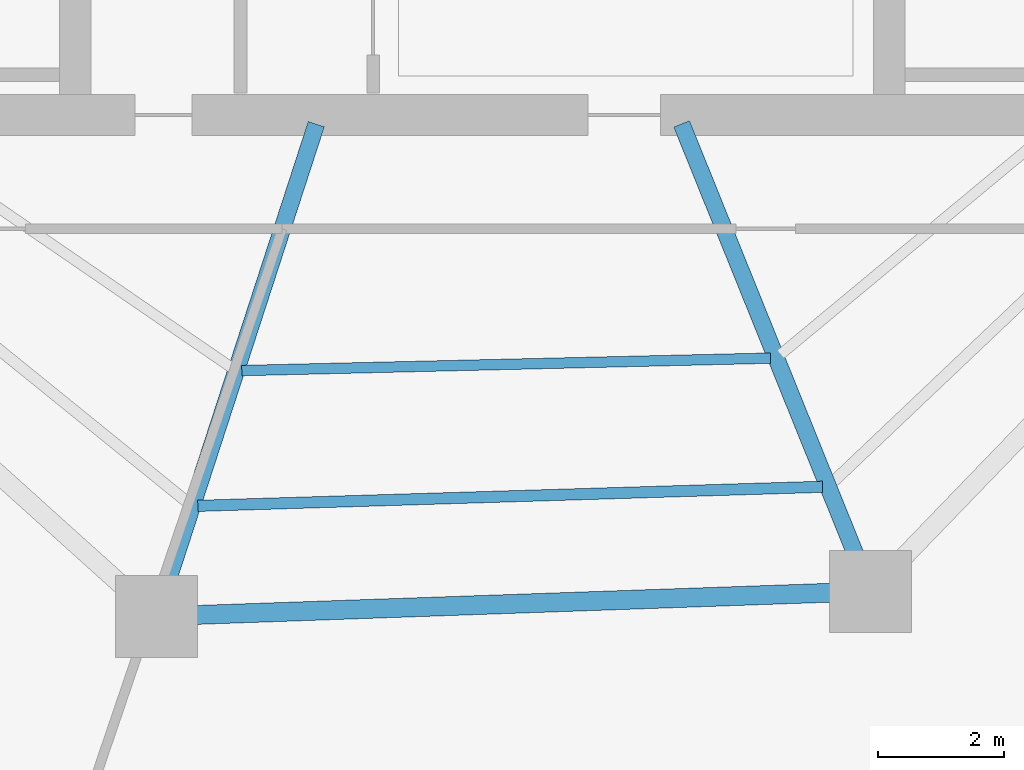
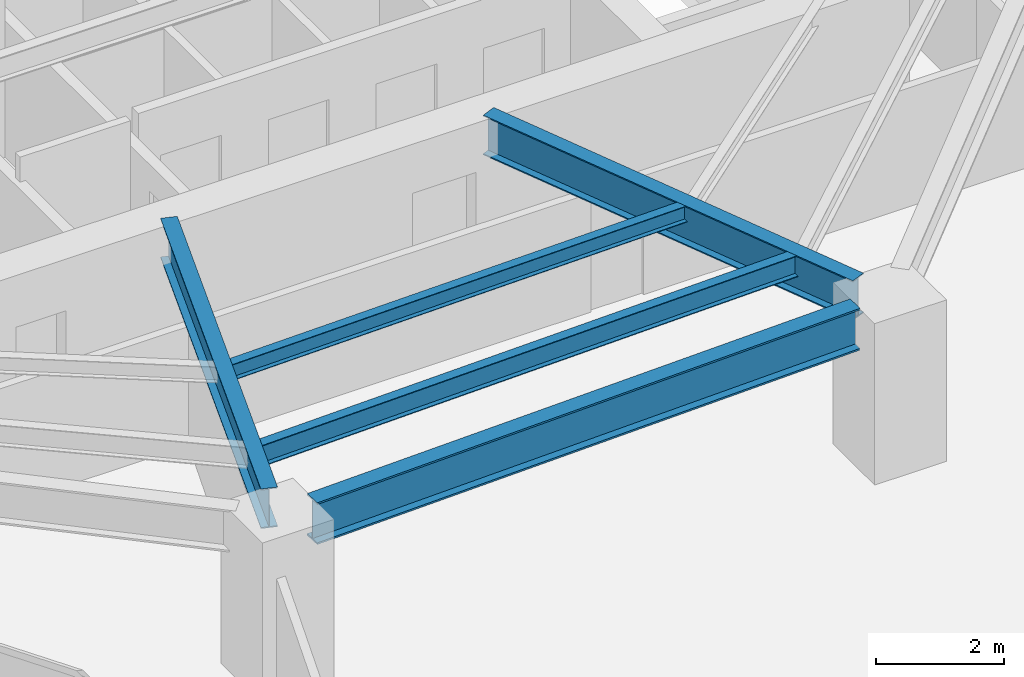
# One storey, part 6 of 31: 5 beams.
"""IFC4 building model written with IfcOpenShell, lengths in metres."""

from ifc_helpers import new_model, si_unit, direction, frame, origin, origin_2d, place, context, subcontext, project, spatial, i_section, extrude, material, material_profile, profile_set, type_object, element, save


model = new_model("IFC4")

# Units and contexts
model_context = context("Model", 3, precision=1e-05, world=origin(), true_north=direction((0.0, 1.0)))
body_context = subcontext(model_context, "Body", "Model", "MODEL_VIEW")
ifc_project = project(units=[si_unit("LENGTHUNIT", "METRE"), si_unit("AREAUNIT", "SQUARE_METRE"), si_unit("VOLUMEUNIT", "CUBIC_METRE"), si_unit("PLANEANGLEUNIT", "RADIAN"), si_unit("MASSUNIT", "GRAM", prefix="KILO")], contexts=[model_context])

# Site, building, storey
site_placement = place(None, origin())
site = spatial("IfcSite", under=ifc_project, at=site_placement, CompositionType="ELEMENT")
building_placement = place(site_placement, origin())
building = spatial("IfcBuilding", under=site, at=building_placement, Name="Qarnah Convention Tower", CompositionType="ELEMENT")
storey_placement = place(building_placement, frame((0.0, 0.0, 68.39990234375)))
storey = spatial("IfcBuildingStorey", under=building, at=storey_placement, Name="L17", CompositionType="ELEMENT", Elevation=68.39990234375)

# Beams
ifc_material = material(Name="Structural steel S355JR", Category="steel")
ifc_material_profile_1 = material_profile(ifc_material, i_section(OverallWidth=0.166015625, OverallDepth=0.31201171875, WebThickness=0.007080078125, FlangeThickness=0.010986328125, at=origin_2d()), Name="W310X45")
ifc_profile_set_1 = profile_set([ifc_material_profile_1], Name="Structural steel S355JR")
beam_type_1 = type_object("IfcBeamType", Name="BM-JST-W310", PredefinedType="JOIST", material=ifc_profile_set_1)
beam_1_placement = place(storey_placement, frame((33.43994140625, 14.552978515625, 2.93408203125), z_axis=(0.999723467553, 0.023515705909, 0.0), x_axis=(-0.023515705909, 0.999723467553, 0.0)))
element("IfcBeam", 1, at=beam_1_placement, inside=storey, type_object=beam_type_1, Name="L17 joist BM-L17-IJST-07", PredefinedType="JOIST", context=body_context, shape_type="SweptSolid", body=[
    extrude(i_section(OverallWidth=0.166015625, OverallDepth=0.31201171875, WebThickness=0.007080078125, FlangeThickness=0.010986328125, at=origin_2d()), origin(), (0.0, 0.0, 1.0), 8.378173828125),
])
ifc_material_profile_2 = material_profile(ifc_material, i_section(OverallWidth=0.177978515625, OverallDepth=0.407958984375, WebThickness=0.008056640625, FlangeThickness=0.012939453125, at=origin_2d()), Name="W410X60")
ifc_profile_set_2 = profile_set([ifc_material_profile_2], Name="Structural steel S355JR")
beam_type_2 = type_object("IfcBeamType", Name="BM-JST-W410", PredefinedType="JOIST", material=ifc_profile_set_2)
beam_2_placement = place(storey_placement, frame((32.743896484375, 12.409912109375, 2.885986328125), z_axis=(0.999534571563, 0.030506396867, 0.0), x_axis=(-0.030506396867, 0.999534571563, 0.0)))
element("IfcBeam", 2, at=beam_2_placement, inside=storey, type_object=beam_type_2, Name="L17 joist BM-L17-SJST-07", PredefinedType="JOIST", context=body_context, shape_type="SweptSolid", body=[
    extrude(i_section(OverallWidth=0.177978515625, OverallDepth=0.407958984375, WebThickness=0.008056640625, FlangeThickness=0.012939453125, at=origin_2d()), origin(), (0.0, 0.0, 1.0), 9.899658203125),
])
ifc_material_profile_3 = material_profile(ifc_material, i_section(OverallWidth=0.26806640625, OverallDepth=0.760009765625, WebThickness=0.014892578125, FlangeThickness=0.02197265625, at=origin_2d()), Name="W760X185")
ifc_profile_set_3 = profile_set([ifc_material_profile_3], Name="Structural steel S355JR")
beam_type_3 = type_object("IfcBeamType", Name="BM-RAD-W760", PredefinedType="BEAM", material=ifc_profile_set_3)
beam_3_placement = place(storey_placement, frame((34.6201171875, 18.45703125, 2.710205078125), z_axis=(-0.309057625925, -0.951043313345, 0.0), x_axis=(0.951043313345, -0.309057625925, 0.0)))
element("IfcBeam", 3, at=beam_3_placement, inside=storey, type_object=beam_type_3, Name="L17 beam BM-L17-RAD-07", PredefinedType="BEAM", context=body_context, shape_type="SweptSolid", body=[
    extrude(i_section(OverallWidth=0.26806640625, OverallDepth=0.760009765625, WebThickness=0.014892578125, FlangeThickness=0.02197265625, at=origin_2d()), origin(), (0.0, 0.0, 1.0), 7.568603515625),
])
beam_4_placement = place(storey_placement, frame((40.407958984375, 18.4609375, 2.710205078125), z_axis=(0.374586487969, -0.927191977441, 0.0), x_axis=(0.927191977441, 0.374586487969, 0.0)))
element("IfcBeam", 4, at=beam_4_placement, inside=storey, type_object=beam_type_3, Name="L17 beam BM-L17-RAD-08", PredefinedType="BEAM", context=body_context, shape_type="SweptSolid", body=[
    extrude(i_section(OverallWidth=0.26806640625, OverallDepth=0.760009765625, WebThickness=0.014892578125, FlangeThickness=0.02197265625, at=origin_2d()), origin(), (0.0, 0.0, 1.0), 7.357666015625),
])
ifc_material_profile_4 = material_profile(ifc_material, i_section(OverallWidth=0.300048828125, OverallDepth=0.800048828125, WebThickness=0.01806640625, FlangeThickness=0.032958984375, at=origin_2d()), Name="HEB800")
ifc_profile_set_4 = profile_set([ifc_material_profile_4], Name="Structural steel S355JR")
beam_type_4 = type_object("IfcBeamType", Name="BM-RING-HEB800", PredefinedType="BEAM", material=ifc_profile_set_4)
beam_5_placement = place(storey_placement, frame((32.72607421875, 10.681884765625, 2.690185546875), z_axis=(0.999388457365, 0.034967288783, 0.0), x_axis=(-0.034967288783, 0.999388457365, 0.0)))
element("IfcBeam", 5, at=beam_5_placement, inside=storey, type_object=beam_type_4, Name="L17 beam BM-L17-SPN-07", PredefinedType="BEAM", context=body_context, shape_type="SweptSolid", body=[
    extrude(i_section(OverallWidth=0.300048828125, OverallDepth=0.800048828125, WebThickness=0.01806640625, FlangeThickness=0.032958984375, at=origin_2d()), origin(), (0.0, 0.0, 1.0), 10.0400390625),
])

save(model, "model.ifc")
